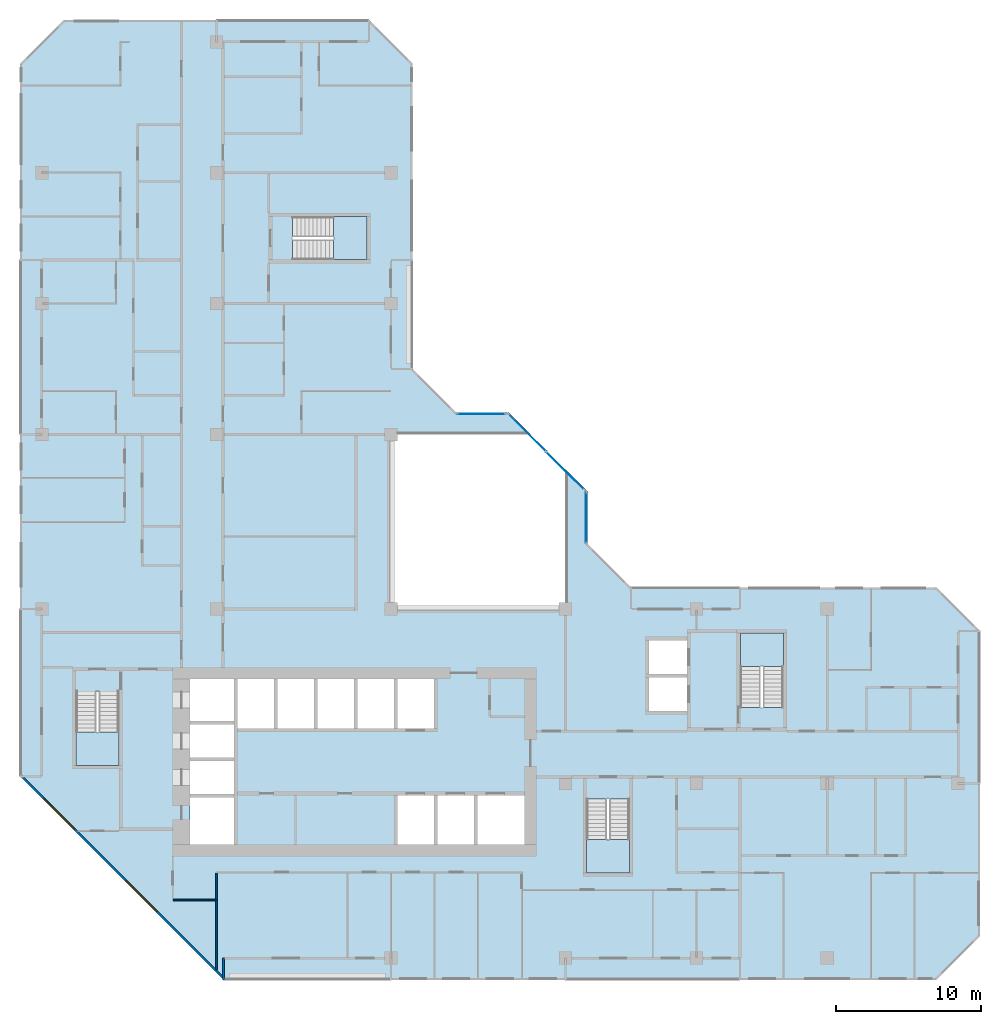
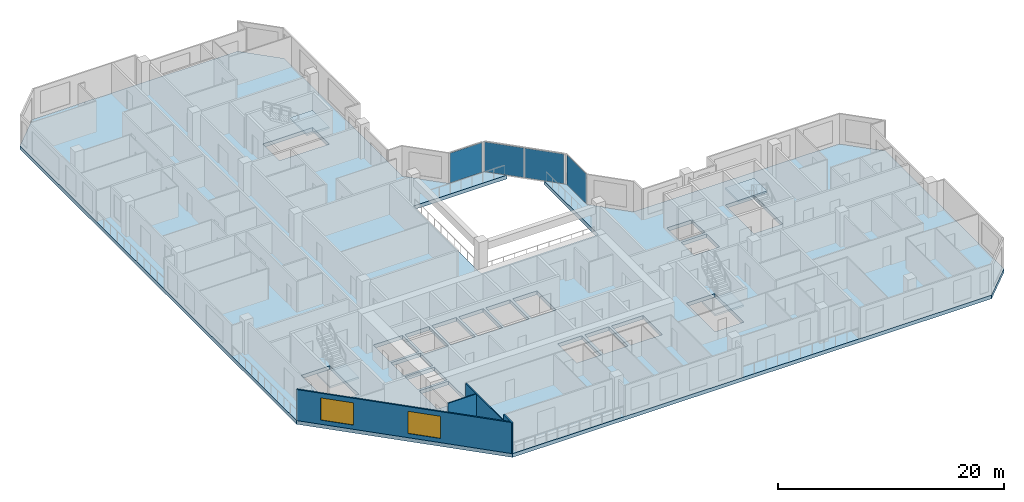
# One storey, part 3 of 14: 5 slabs, 4 plates, 4 walls, 2 windows, 2 openings, 7 elements without a shape of their own.
"""IFC4 building model written with IfcOpenShell, lengths in metres."""

import ifcopenshell
import ifcopenshell.guid

model = None  # the IFC model being written
_history = None  # IfcOwnerHistory: only IFC2X3 demands one
_inside = {}  # id of a spatial element -> (the spatial element, [elements in it])
_under = {}  # id of a project, library or spatial element -> (it, [spatial elements below it])
_declared = {}  # id of a project -> (the project, [libraries it declares])
_typed = {}  # id of a type object -> (the type object, [elements of that type])
_made_of = {}  # id of a material, layer set ... -> (it, [elements and type objects made of it])


def new_model(schema):
    """Start an empty IFC model of exactly this schema.

    Asked for "IFC4X3", IfcOpenShell would pick the latest addendum, in which some entities
    have other attributes; the version numbers below select the first issue.
    IFC2X3 requires an IfcOwnerHistory on every rooted entity: one is made here for all.
    """
    global model, _history
    if schema == "IFC4X3":
        model = ifcopenshell.file(schema_version=(4, 3, 0, 0))
    else:
        model = ifcopenshell.file(schema=schema)
    _inside.clear()
    _under.clear()
    _declared.clear()
    _typed.clear()
    _made_of.clear()
    _history = None
    if model.schema == "IFC2X3":
        org = make("IfcOrganization", Name="unknown")
        user = make(
            "IfcPersonAndOrganization",
            ThePerson=make("IfcPerson", FamilyName="unknown"),
            TheOrganization=org,
        )
        app = make(
            "IfcApplication",
            ApplicationDeveloper=org,
            Version="unknown",
            ApplicationFullName="unknown",
            ApplicationIdentifier="unknown",
        )
        _history = make(
            "IfcOwnerHistory",
            OwningUser=user,
            OwningApplication=app,
            ChangeAction="ADDED",
            CreationDate=0,
        )
    return model


def make(cls, **values):
    """One entity of the class cls with the attributes given. An attribute that is None is left unset."""
    return model.create_entity(
        cls, **{name: value for name, value in values.items() if value is not None}
    )


def rooted(cls, **values):
    """An entity with a GlobalId (a new one), such as an element, a storey or a relation."""
    return make(cls, GlobalId=ifcopenshell.guid.new(), OwnerHistory=_history, **values)


def si_unit(unit_type, name, prefix=None):
    """IfcSIUnit, for example si_unit("LENGTHUNIT", "METRE", prefix="MILLI")."""
    return make("IfcSIUnit", UnitType=unit_type, Prefix=prefix, Name=name)


def assignment(units):
    """IfcUnitAssignment: the units of a project."""
    return None if units is None else make("IfcUnitAssignment", Units=units)


def point(xyz):
    """IfcCartesianPoint."""
    return None if xyz is None else make("IfcCartesianPoint", Coordinates=xyz)


def direction(xyz):
    """IfcDirection."""
    return None if xyz is None else make("IfcDirection", DirectionRatios=xyz)


def frame(location, z_axis=None, x_axis=None):
    """IfcAxis2Placement3D, a coordinate frame: its origin and axes. An axis left out is left unset."""
    return make(
        "IfcAxis2Placement3D",
        Location=point(location),
        Axis=direction(z_axis),
        RefDirection=direction(x_axis),
    )


def frame_2d(location, x_axis=None):
    """IfcAxis2Placement2D, a coordinate frame in the plane: its origin and x axis."""
    return make(
        "IfcAxis2Placement2D", Location=point(location), RefDirection=direction(x_axis)
    )


def origin():
    """The frame at (0, 0, 0) with its axes left unset."""
    return frame((0.0, 0.0, 0.0))


def origin_2d():
    """The frame at (0, 0) in the plane with its x axis left unset."""
    return frame_2d((0.0, 0.0))


def place(relative_to, where):
    """IfcLocalPlacement: puts the frame where relative to a parent placement (None: the world)."""
    return make(
        "IfcLocalPlacement", PlacementRelTo=relative_to, RelativePlacement=where
    )


def context(
    kind, dimensions, precision=None, world=None, true_north=None, identifier=None
):
    """IfcGeometricRepresentationContext, for example the 3D "Model" context."""
    return make(
        "IfcGeometricRepresentationContext",
        ContextIdentifier=identifier,
        ContextType=kind,
        CoordinateSpaceDimension=dimensions,
        Precision=precision,
        WorldCoordinateSystem=world,
        TrueNorth=true_north,
    )


def subcontext(parent, identifier, kind, view, scale=None):
    """IfcGeometricRepresentationSubContext, for example "Body" below "Model"."""
    return make(
        "IfcGeometricRepresentationSubContext",
        ContextIdentifier=identifier,
        ContextType=kind,
        ParentContext=parent,
        TargetScale=scale,
        TargetView=view,
    )


def project(units=None, contexts=None):
    """IfcProject with its units and contexts."""
    return rooted(
        "IfcProject",
        Name="project",
        RepresentationContexts=contexts,
        UnitsInContext=assignment(units),
    )


def spatial(cls, under=None, at=None, **own):
    """A site, building, storey or space (cls), placed at a placement, below another one or the project."""
    s = rooted(cls, ObjectPlacement=at, **own)
    if under is not None:
        _under.setdefault(under.id(), (under, []))[1].append(s)
    return s


def polyline(points):
    """IfcPolyline through the points."""
    return make("IfcPolyline", Points=[point(p) for p in points])


def profile(cls, at=None, kind="AREA", **sizes):
    """A parametric profile (cls). Its sizes go by their IFC names, for example OverallWidth=200.0."""
    return make(cls, ProfileType=kind, Position=at, **sizes)


def rectangle(**sizes):
    """IfcRectangleProfileDef."""
    return profile("IfcRectangleProfileDef", **sizes)


def outline(outer, holes=None, kind="AREA"):
    """IfcArbitraryClosedProfileDef: a profile drawn as a closed curve; with holes, ...WithVoids."""
    if holes is None:
        return make("IfcArbitraryClosedProfileDef", ProfileType=kind, OuterCurve=outer)
    return make(
        "IfcArbitraryProfileDefWithVoids",
        ProfileType=kind,
        OuterCurve=outer,
        InnerCurves=holes,
    )


def extrude(swept, where, along, depth):
    """IfcExtrudedAreaSolid: the profile swept, set in the frame where, extruded along a direction by depth."""
    return make(
        "IfcExtrudedAreaSolid",
        SweptArea=swept,
        Position=where,
        ExtrudedDirection=direction(along),
        Depth=depth,
    )


def shape(context_of_items, identifier, shape_type, items):
    """IfcShapeRepresentation: the items that make up one representation, for example the "Body"."""
    return make(
        "IfcShapeRepresentation",
        ContextOfItems=context_of_items,
        RepresentationIdentifier=identifier,
        RepresentationType=shape_type,
        Items=items,
    )


def material(Name=None, Category=None):
    """IfcMaterial."""
    return make("IfcMaterial", Name=Name, Category=Category)


def layer(
    of_material, thickness, ventilated=None, Name=None, Category=None, Priority=None
):
    """IfcMaterialLayer: one layer of a wall or slab, of a material (None: an air gap)."""
    return make(
        "IfcMaterialLayer",
        Material=of_material,
        LayerThickness=thickness,
        IsVentilated=ventilated,
        Name=Name,
        Category=Category,
        Priority=Priority,
    )


def layer_set(layers, Name=None):
    """IfcMaterialLayerSet."""
    return make("IfcMaterialLayerSet", MaterialLayers=layers, LayerSetName=Name)


def made_of(thing, what):
    """Note that an element or type object is made of a material, layer set ...; save() writes the relation."""
    if what is not None:
        _made_of.setdefault(what.id(), (what, []))[1].append(thing)
    return thing


def type_object(cls, material=None, **own):
    """A type object (cls), such as IfcWallType, which elements share."""
    return made_of(rooted(cls, **own), material)


def element(
    cls,
    number,
    at=None,
    inside=None,
    cuts=None,
    type_object=None,
    material=None,
    context=None,
    identifier="Body",
    shape_type=None,
    held_by="IfcProductDefinitionShape",
    body=None,
    shapes=None,
    **own,
):
    """One element of the class cls, such as IfcWall. Its Tag is "e" and its number.

    at: its placement. inside: the storey or other place that contains it. cuts: it is an
    opening in that element (IfcRelVoidsElement). A single representation is given by context,
    identifier, shape_type and body (its items); several are given by shapes. held_by: the class
    of the entity that holds the representations. save() writes the other relations.
    """
    e = rooted(cls, Tag="e%d" % number, ObjectPlacement=at, **own)
    if body is not None:
        shapes = [shape(context, identifier, shape_type, body)]
    if shapes is not None:
        e.Representation = make(held_by, Representations=shapes)
    if inside is not None:
        _inside.setdefault(inside.id(), (inside, []))[1].append(e)
    if cuts is not None:
        rooted(
            "IfcRelVoidsElement", RelatingBuildingElement=cuts, RelatedOpeningElement=e
        )
    if type_object is not None:
        _typed.setdefault(type_object.id(), (type_object, []))[1].append(e)
    return made_of(e, material)


def fill(opening, filler):
    """IfcRelFillsElement: the door or window that sits in an opening."""
    return rooted(
        "IfcRelFillsElement",
        RelatingOpeningElement=opening,
        RelatedBuildingElement=filler,
    )


def aggregate(whole, parts):
    """IfcRelAggregates: a whole, such as a stair, and the parts it consists of."""
    return rooted("IfcRelAggregates", RelatingObject=whole, RelatedObjects=parts)


def save(model, path):
    """Write the relations noted so far, then the file.

    IfcRelAggregates (storeys below a building ...), IfcRelContainedInSpatialStructure (elements
    in a storey), IfcRelDefinesByType, IfcRelAssociatesMaterial and IfcRelDeclares: one each for
    every whole, place, type object, material and project.
    """
    for whole, parts in _under.values():
        aggregate(whole, parts)
    for where, things in _inside.values():
        rooted(
            "IfcRelContainedInSpatialStructure",
            RelatedElements=things,
            RelatingStructure=where,
        )
    for kind, things in _typed.values():
        rooted("IfcRelDefinesByType", RelatedObjects=things, RelatingType=kind)
    for what, things in _made_of.values():
        rooted("IfcRelAssociatesMaterial", RelatedObjects=things, RelatingMaterial=what)
    for by, libraries in _declared.values():
        rooted("IfcRelDeclares", RelatingContext=by, RelatedDefinitions=libraries)
    model.write(path)


model = new_model("IFC4")

# Units and contexts
model_context = context("Model", 3, precision=1e-05, world=origin(), true_north=direction((0.0, 1.0)))
body_context = subcontext(model_context, "Body", "Model", "MODEL_VIEW")
ifc_project = project(units=[si_unit("LENGTHUNIT", "METRE"), si_unit("AREAUNIT", "SQUARE_METRE"), si_unit("VOLUMEUNIT", "CUBIC_METRE"), si_unit("PLANEANGLEUNIT", "RADIAN"), si_unit("MASSUNIT", "GRAM", prefix="KILO")], contexts=[model_context])

# Site, building, storey
site_placement = place(None, origin())
site = spatial("IfcSite", under=ifc_project, at=site_placement, CompositionType="ELEMENT")
building_placement = place(site_placement, origin())
building = spatial("IfcBuilding", under=site, at=building_placement, Name="Chenar Terraces", CompositionType="ELEMENT")
storey_placement = place(building_placement, frame((0.0, 0.0, 183.64990234375)))
storey = spatial("IfcBuildingStorey", under=building, at=storey_placement, Name="L42", CompositionType="ELEMENT", Elevation=183.64990234375)

# Curtain wall, plate
ifc_material_1 = material(Name="Aluminium framed glazing", Category="aluminium")
ifc_layer_1 = layer(ifc_material_1, 0.14990234375)
ifc_layer_set_1 = layer_set([ifc_layer_1], Name="Aluminium framed glazing")
curtain_wall_type = type_object("IfcCurtainWallType", Name="Atrium mid-zone curtain wall", PredefinedType="NOTDEFINED", material=ifc_layer_set_1)
placement_1 = place(storey_placement, origin())
curtain_wall_1 = element("IfcCurtainWall", 1, at=placement_1, inside=storey, type_object=curtain_wall_type, Name="Atrium mid-zone curtain wall", PredefinedType="NOTDEFINED")
ifc_material_2 = material(Name="Low emissivity laminated glass, solar control coating", Category="glass")
ifc_layer_2 = layer(ifc_material_2, 0.031982421875)
ifc_layer_set_2 = layer_set([ifc_layer_2], Name="Low emissivity laminated glass, solar control coating")
plate_type = type_object("IfcPlateType", Name="Atrium mid-zone glazing panel 32", PredefinedType="CURTAIN_PANEL", material=ifc_layer_set_2)
plate_1_placement = place(storey_placement, frame((37.425048828125, 30.300048828125, 0.070068359375), z_axis=(0.0, 0.0, 1.0), x_axis=(0.0, 1.0, 0.0)))
plate_1 = element("IfcPlate", 2, at=plate_1_placement, type_object=plate_type, Name="CW7-1 panel 1.1", PredefinedType="CURTAIN_PANEL", context=body_context, shape_type="SweptSolid", body=[
    extrude(rectangle(XDim=3.4599609375, YDim=0.031982421875, at=origin_2d()), origin(), (0.0, 0.0, 1.0), 3.2099609375),
])
aggregate(curtain_wall_1, [plate_1])

# Curtain wall, plates
curtain_wall_2 = element("IfcCurtainWall", 3, at=placement_1, inside=storey, type_object=curtain_wall_type, Name="Atrium mid-zone curtain wall", PredefinedType="NOTDEFINED")
plate_2_placement = place(storey_placement, frame((35.978515625, 33.515380859375, 0.070068359375), z_axis=(0.0, 0.0, 1.0), x_axis=(-0.707106781187, 0.707106781187, 0.0)))
plate_2 = element("IfcPlate", 4, at=plate_2_placement, type_object=plate_type, Name="CW7-2 panel 1.1", PredefinedType="CURTAIN_PANEL", context=body_context, shape_type="SweptSolid", body=[
    extrude(rectangle(XDim=3.61328125, YDim=0.031982421875, at=origin_2d()), origin(), (0.0, 0.0, 1.0), 3.2099609375),
])
plate_3_placement = place(storey_placement, frame((33.3740234375, 36.119873046875, 0.070068359375), z_axis=(0.0, 0.0, 1.0), x_axis=(-0.707106781187, 0.707106781187, 0.0)))
plate_3 = element("IfcPlate", 5, at=plate_3_placement, type_object=plate_type, Name="CW7-2 panel 2.1", PredefinedType="CURTAIN_PANEL", context=body_context, shape_type="SweptSolid", body=[
    extrude(rectangle(XDim=3.61328125, YDim=0.031982421875, at=origin_2d()), origin(), (0.0, 0.0, 1.0), 3.2099609375),
])
aggregate(curtain_wall_2, [plate_2, plate_3])

# Curtain wall, plate
curtain_wall_3 = element("IfcCurtainWall", 6, at=placement_1, inside=storey, type_object=curtain_wall_type, Name="Atrium mid-zone curtain wall", PredefinedType="NOTDEFINED")
plate_4_placement = place(storey_placement, frame((30.199951171875, 37.425048828125, 0.070068359375), z_axis=(0.0, 0.0, 1.0), x_axis=(-1.0, 0.0, 0.0)))
plate_4 = element("IfcPlate", 7, at=plate_4_placement, type_object=plate_type, Name="CW7-3 panel 1.1", PredefinedType="CURTAIN_PANEL", context=body_context, shape_type="SweptSolid", body=[
    extrude(rectangle(XDim=3.260009765625, YDim=0.031982421875, at=origin_2d()), origin(), (0.0, 0.0, 1.0), 3.2099609375),
])
aggregate(curtain_wall_3, [plate_4])

# Stair, slab
ifc_material_3 = material(Name="Reinforced concrete C40/50", Category="concrete")
stair_type = type_object("IfcStairType", Name="Core stair 1400 half-turn", PredefinedType="HALF_TURN_STAIR", material=ifc_material_3)
stair_1 = element("IfcStair", 8, at=placement_1, inside=storey, type_object=stair_type, Name="L42 Stair 1", PredefinedType="HALF_TURN_STAIR")
ifc_material_4 = material(Name="Reinforced concrete C40/50", Category="concrete")
ifc_layer_3 = layer(ifc_material_4, 0.199951171875)
ifc_layer_set_3 = layer_set([ifc_layer_3], Name="Reinforced concrete C40/50")
slab_type_1 = type_object("IfcSlabType", Name="Core stair landing 200", PredefinedType="LANDING", material=ifc_layer_set_3)
placement_2 = place(storey_placement, frame((0.0, 0.0, 1.675048828125)))
slab_1 = element("IfcSlab", 9, at=placement_2, type_object=slab_type_1, Name="ST1 landing 1", PredefinedType="LANDING", context=body_context, shape_type="SweptSolid", body=[
    extrude(outline(polyline([(2.35009765625, 15.550048828125), (2.35009765625, 13.25), (5.300048828125, 13.25), (5.300048828125, 15.550048828125), (2.35009765625, 15.550048828125)])), origin(), (0.0, 0.0, 1.0), 0.199951171875),
])
aggregate(stair_1, [slab_1])

stair_2 = element("IfcStair", 10, at=placement_1, inside=storey, type_object=stair_type, Name="L42 Stair 2", PredefinedType="HALF_TURN_STAIR")
slab_2 = element("IfcSlab", 11, at=placement_2, type_object=slab_type_1, Name="ST2 landing 1", PredefinedType="LANDING", context=body_context, shape_type="SweptSolid", body=[
    extrude(outline(polyline([(37.449951171875, 8.14990234375), (37.449951171875, 5.85009765625), (40.39990234375, 5.85009765625), (40.39990234375, 8.14990234375), (37.449951171875, 8.14990234375)])), origin(), (0.0, 0.0, 1.0), 0.199951171875),
])
aggregate(stair_2, [slab_2])

stair_3 = element("IfcStair", 12, at=placement_1, inside=storey, type_object=stair_type, Name="L42 Stair 3", PredefinedType="HALF_TURN_STAIR")
slab_3 = element("IfcSlab", 13, at=placement_2, type_object=slab_type_1, Name="ST3 landing 1", PredefinedType="LANDING", context=body_context, shape_type="SweptSolid", body=[
    extrude(outline(polyline([(50.97509765625, 20.050048828125), (50.97509765625, 22.35009765625), (48.02490234375, 22.35009765625), (48.02490234375, 20.050048828125), (50.97509765625, 20.050048828125)])), origin(), (0.0, 0.0, 1.0), 0.199951171875),
])
aggregate(stair_3, [slab_3])

stair_4 = element("IfcStair", 14, at=placement_1, inside=storey, type_object=stair_type, Name="L42 Stair 4", PredefinedType="HALF_TURN_STAIR")
slab_4 = element("IfcSlab", 15, at=placement_2, type_object=slab_type_1, Name="ST4 landing 1", PredefinedType="LANDING", context=body_context, shape_type="SweptSolid", body=[
    extrude(outline(polyline([(20.050048828125, 48.02490234375), (22.35009765625, 48.02490234375), (22.35009765625, 50.97509765625), (20.050048828125, 50.97509765625), (20.050048828125, 48.02490234375)])), origin(), (0.0, 0.0, 1.0), 0.199951171875),
])
aggregate(stair_4, [slab_4])

# Slab
ifc_material_5 = material(Name="Concrete C40/50", Category="concrete")
ifc_layer_4 = layer(ifc_material_5, 0.39990234375)
ifc_layer_set_4 = layer_set([ifc_layer_4], Name="Concrete C40/50")
slab_type_2 = type_object("IfcSlabType", Name="Floor slab 400 Concrete C40/50", PredefinedType="FLOOR", material=ifc_layer_set_4)
slab_5_placement = place(storey_placement, frame((0.0, 0.0, -0.39990234375)))
element("IfcSlab", 16, at=slab_5_placement, inside=storey, type_object=slab_type_2, Name="Floor slab L42", PredefinedType="FLOOR", context=body_context, shape_type="SweptSolid", body=[
    extrude(outline(polyline([(64.5, 22.5), (64.5, 1.5), (61.5, -1.5), (12.5, -1.5), (-1.5, 12.5), (-1.5, 61.5), (1.5, 64.5), (22.5, 64.5), (25.5, 61.5), (25.5, 40.5), (28.5, 37.5), (32.10009765625, 37.5), (33.60009765625, 36.0), (24.0, 36.0), (24.0, 24.0), (36.0, 24.0), (36.0, 33.60009765625), (37.5, 32.10009765625), (37.5, 28.5), (40.5, 25.5), (61.5, 25.5), (64.5, 22.5)]), holes=[polyline([(13.199951171875, 11.050048828125), (10.199951171875, 11.050048828125), (10.199951171875, 7.800048828125), (13.199951171875, 7.800048828125), (13.199951171875, 11.050048828125)]), polyline([(13.199951171875, 13.550048828125), (10.199951171875, 13.550048828125), (10.199951171875, 11.300048828125), (13.199951171875, 11.300048828125), (13.199951171875, 13.550048828125)]), polyline([(13.199951171875, 16.050048828125), (10.199951171875, 16.050048828125), (10.199951171875, 13.800048828125), (13.199951171875, 13.800048828125), (13.199951171875, 16.050048828125)]), polyline([(2.35009765625, 13.25), (5.300048828125, 13.25), (5.300048828125, 18.35009765625), (2.35009765625, 18.35009765625), (2.35009765625, 13.25)]), polyline([(15.949951171875, 19.199951171875), (13.449951171875, 19.199951171875), (13.449951171875, 15.800048828125), (15.949951171875, 15.800048828125), (15.949951171875, 19.199951171875)]), polyline([(18.699951171875, 19.199951171875), (16.199951171875, 19.199951171875), (16.199951171875, 15.800048828125), (18.699951171875, 15.800048828125), (18.699951171875, 19.199951171875)]), polyline([(21.449951171875, 19.199951171875), (18.949951171875, 19.199951171875), (18.949951171875, 15.800048828125), (21.449951171875, 15.800048828125), (21.449951171875, 19.199951171875)]), polyline([(24.199951171875, 15.800048828125), (24.199951171875, 19.199951171875), (21.699951171875, 19.199951171875), (21.699951171875, 15.800048828125), (24.199951171875, 15.800048828125)]), polyline([(13.199951171875, 16.300048828125), (13.199951171875, 19.199951171875), (10.199951171875, 19.199951171875), (10.199951171875, 16.300048828125), (13.199951171875, 16.300048828125)]), polyline([(22.35009765625, 48.02490234375), (22.35009765625, 50.97509765625), (17.25, 50.97509765625), (17.25, 48.02490234375), (22.35009765625, 48.02490234375)]), polyline([(37.449951171875, 5.85009765625), (40.39990234375, 5.85009765625), (40.39990234375, 10.949951171875), (37.449951171875, 10.949951171875), (37.449951171875, 5.85009765625)]), polyline([(26.949951171875, 11.199951171875), (24.449951171875, 11.199951171875), (24.449951171875, 7.800048828125), (26.949951171875, 7.800048828125), (26.949951171875, 11.199951171875)]), polyline([(29.699951171875, 7.800048828125), (29.699951171875, 11.199951171875), (27.199951171875, 11.199951171875), (27.199951171875, 7.800048828125), (29.699951171875, 7.800048828125)]), polyline([(33.199951171875, 7.800048828125), (33.199951171875, 11.199951171875), (29.949951171875, 11.199951171875), (29.949951171875, 7.800048828125), (33.199951171875, 7.800048828125)]), polyline([(26.949951171875, 19.199951171875), (24.449951171875, 19.199951171875), (24.449951171875, 15.800048828125), (26.949951171875, 15.800048828125), (26.949951171875, 19.199951171875)]), polyline([(44.35009765625, 19.300048828125), (41.75, 19.300048828125), (41.75, 17.0), (44.35009765625, 17.0), (44.35009765625, 19.300048828125)]), polyline([(50.97509765625, 22.35009765625), (48.02490234375, 22.35009765625), (48.02490234375, 17.25), (50.97509765625, 17.25), (50.97509765625, 22.35009765625)]), polyline([(44.35009765625, 19.550048828125), (44.35009765625, 21.85009765625), (41.75, 21.85009765625), (41.75, 19.550048828125), (44.35009765625, 19.550048828125)])]), origin(), (0.0, 0.0, 1.0), 0.39990234375),
])

# Walls
ifc_material_6 = material(Name="Gypsum board on steel studs", Category="steel")
ifc_layer_5 = layer(ifc_material_6, 0.10009765625)
ifc_layer_set_5 = layer_set([ifc_layer_5], Name="Gypsum board on steel studs")
wall_type_1 = type_object("IfcWallType", Name="Gypsum partition 100", PredefinedType="PARTITIONING", material=ifc_layer_set_5)
wall_1_placement = place(storey_placement, frame((9.050048828125, 4.0, 0.0), z_axis=(0.0, 0.0, 1.0), x_axis=(1.0, 0.0, 0.0)))
element("IfcWall", 17, at=wall_1_placement, inside=storey, type_object=wall_type_1, Name="Partition L42-030", PredefinedType="PARTITIONING", context=body_context, shape_type="SweptSolid", body=[
    extrude(rectangle(XDim=2.89990234375, YDim=0.10009765625, at=frame_2d((1.449951171875, 0.0))), origin(), (0.0, 0.0, 1.0), 3.35009765625),
])
wall_2_placement = place(storey_placement, frame((12.0, -0.787841796875, 0.0), z_axis=(0.0, 0.0, 1.0), x_axis=(0.0, 1.0, 0.0)))
element("IfcWall", 18, at=wall_2_placement, inside=storey, type_object=wall_type_1, Name="Partition L42-033", PredefinedType="PARTITIONING", context=body_context, shape_type="SweptSolid", body=[
    extrude(rectangle(XDim=6.637939453125, YDim=0.10009765625, at=frame_2d((3.31884765625, 0.0))), origin(), (0.0, 0.0, 1.0), 3.35009765625),
])
ifc_material_7 = material(Name="Terracotta cladding on insulated backing", Category="masonry")
ifc_layer_6 = layer(ifc_material_7, 0.14990234375)
ifc_layer_set_6 = layer_set([ifc_layer_6], Name="Terracotta cladding on insulated backing")
wall_type_2 = type_object("IfcWallType", Name="Loggia return wall 150", PredefinedType="SOLIDWALL", material=ifc_layer_set_6)
wall_3_placement = place(storey_placement, frame((12.5, -1.5, 0.0), z_axis=(0.0, 0.0, 1.0), x_axis=(0.0, 1.0, 0.0)))
element("IfcWall", 19, at=wall_3_placement, inside=storey, type_object=wall_type_2, Name="Loggia return wall", PredefinedType="SOLIDWALL", context=body_context, shape_type="SweptSolid", body=[
    extrude(rectangle(XDim=1.5, YDim=0.14990234375, at=frame_2d((0.75, 0.0))), origin(), (0.0, 0.0, 1.0), 3.35009765625),
])

# Wall, openings, windows
ifc_material_8 = material(Name="Terracotta cladding on insulated backing", Category="masonry")
ifc_layer_7 = layer(ifc_material_8, 0.14990234375)
ifc_layer_set_7 = layer_set([ifc_layer_7], Name="Terracotta cladding on insulated backing")
wall_type_3 = type_object("IfcWallType", Name="Terracotta rainscreen wall 150", PredefinedType="SOLIDWALL", material=ifc_layer_set_7)
wall_4_placement = place(storey_placement, frame((-1.447021484375, 12.552978515625, 0.0), z_axis=(0.0, 0.0, 1.0), x_axis=(0.707106781187, -0.707106781187, 0.0)))
wall_4 = element("IfcWall", 20, at=wall_4_placement, inside=storey, type_object=wall_type_3, Name="Terracotta rainscreen wall", PredefinedType="SOLIDWALL", context=body_context, shape_type="SweptSolid", body=[
    extrude(rectangle(XDim=19.799072265625, YDim=0.14990234375, at=frame_2d((9.8994140625, 0.0))), origin(), (0.0, 0.0, 1.0), 3.35009765625),
])
opening_1_placement = place(wall_4_placement, frame((2.21240234375, 0.0, 0.449951171875)))
opening_1 = element("IfcOpeningElement", 21, at=opening_1_placement, cuts=wall_4, Name="Opening W300x240", PredefinedType="OPENING", context=body_context, shape_type="SweptSolid", body=[
    extrude(rectangle(XDim=3.0, YDim=2.39990234375, at=frame_2d((1.5, 1.199951171875))), frame((0.0, 0.0849609375, 0.0), z_axis=(0.0, -1.0, 0.0), x_axis=(1.0, 0.0, 0.0)), (0.0, 0.0, 1.0), 0.169921875),
])
opening_2_placement = place(wall_4_placement, frame((10.215576171875, 0.0, 0.449951171875)))
opening_2 = element("IfcOpeningElement", 22, at=opening_2_placement, cuts=wall_4, Name="Opening W300x240", PredefinedType="OPENING", context=body_context, shape_type="SweptSolid", body=[
    extrude(rectangle(XDim=3.0, YDim=2.39990234375, at=frame_2d((1.5, 1.199951171875))), frame((0.0, 0.0849609375, 0.0), z_axis=(0.0, -1.0, 0.0), x_axis=(1.0, 0.0, 0.0)), (0.0, 0.0, 1.0), 0.169921875),
])
ifc_material_9 = material(Name="Low emissivity double glazing, aluminium frame", Category="aluminium")
window_type = type_object("IfcWindowType", Name="Fixed light 3000 x 2400", PartitioningType="SINGLE_PANEL", PredefinedType="WINDOW", material=ifc_material_9)
window_1_placement = place(opening_1_placement, origin())
window_1 = element("IfcWindow", 23, at=window_1_placement, inside=storey, type_object=window_type, Name="Window", OverallHeight=2.39990234375, OverallWidth=3.0, PartitioningType="SINGLE_PANEL", PredefinedType="WINDOW", context=body_context, shape_type="SweptSolid", body=[
    extrude(rectangle(XDim=3.0, YDim=2.39990234375, at=frame_2d((1.5, 1.199951171875))), frame((0.0, 0.030029296875, 0.0), z_axis=(0.0, -1.0, 0.0), x_axis=(1.0, 0.0, 0.0)), (0.0, 0.0, 1.0), 0.06005859375),
])
fill(opening_1, window_1)
window_2_placement = place(opening_2_placement, origin())
window_2 = element("IfcWindow", 24, at=window_2_placement, inside=storey, type_object=window_type, Name="Window", OverallHeight=2.39990234375, OverallWidth=3.0, PartitioningType="SINGLE_PANEL", PredefinedType="WINDOW", context=body_context, shape_type="SweptSolid", body=[
    extrude(rectangle(XDim=3.0, YDim=2.39990234375, at=frame_2d((1.5, 1.199951171875))), frame((0.0, 0.030029296875, 0.0), z_axis=(0.0, -1.0, 0.0), x_axis=(1.0, 0.0, 0.0)), (0.0, 0.0, 1.0), 0.06005859375),
])
fill(opening_2, window_2)

save(model, "model.ifc")
